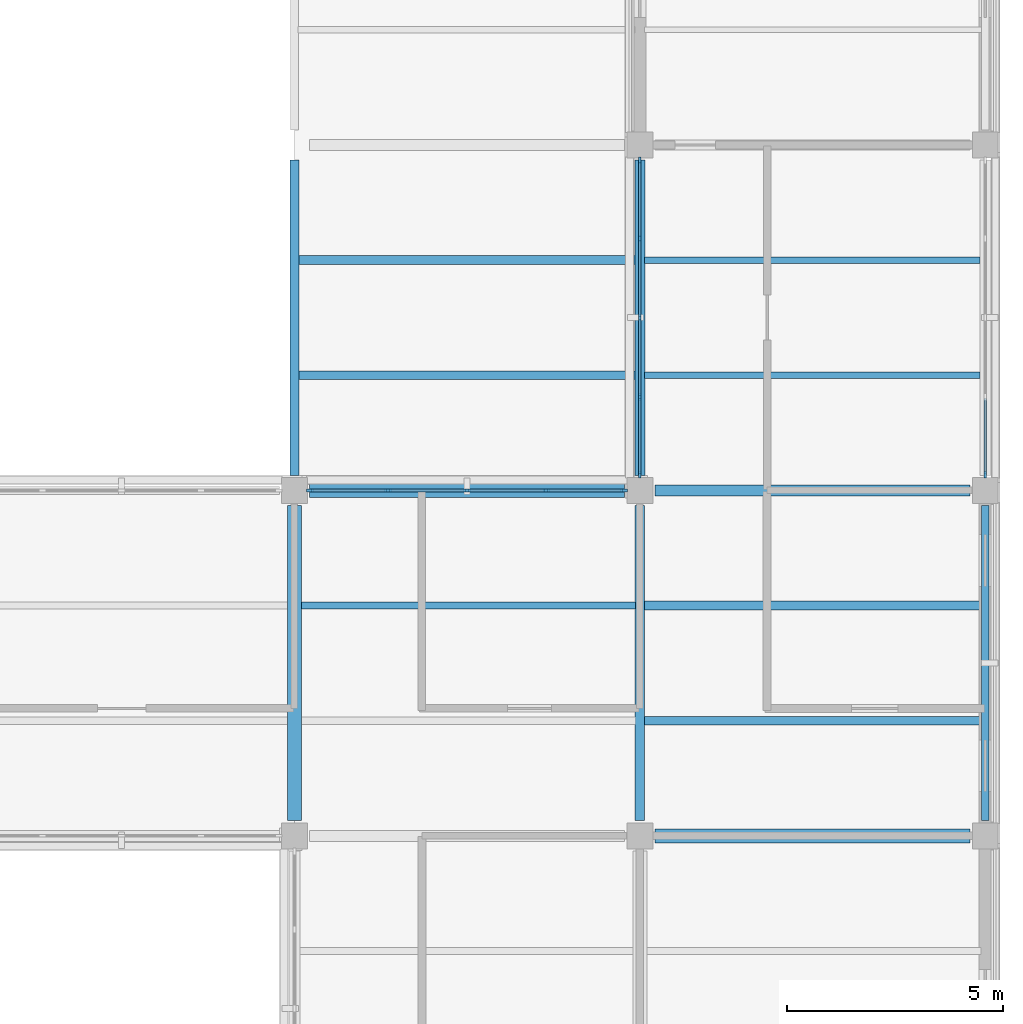
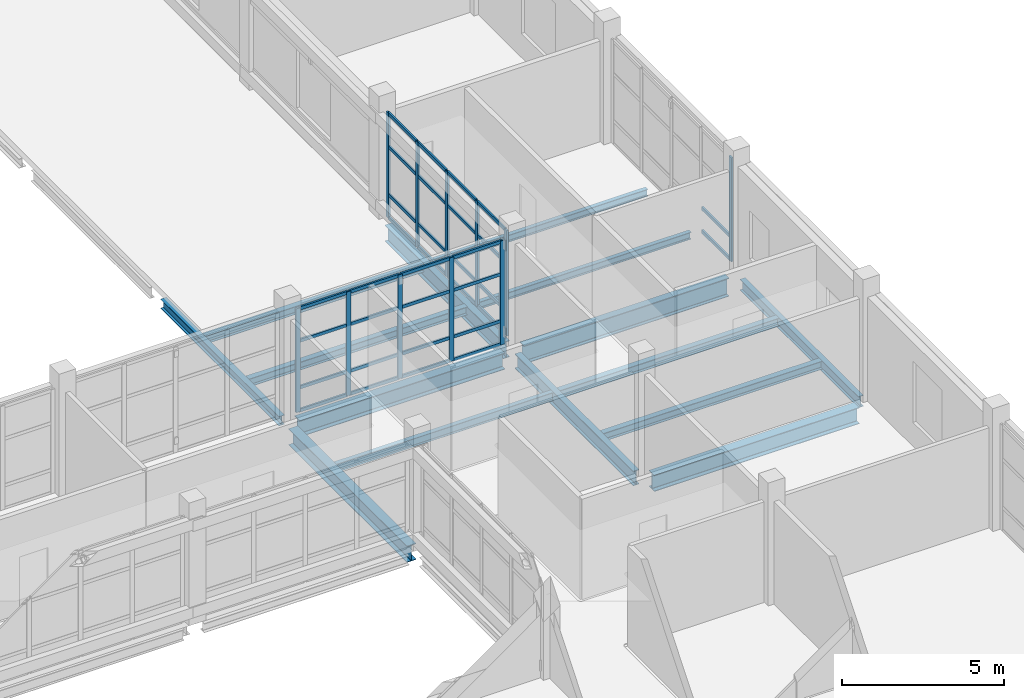
# One storey, part 51 of 121: 45 members, 15 beams, 3 elements without a shape of their own.
"""IFC4 building model written with IfcOpenShell, lengths in metres."""

from ifc_helpers import new_model, si_unit, derived_unit, direction, frame, origin, origin_2d, place, context, subcontext, project, spatial, rectangle, i_section, extrude, material, layer, layer_set, material_profile, profile_set, type_object, element, aggregate, save


model = new_model("IFC4")

# Units and contexts
model_context = context("Model", 3, precision=1e-05, world=origin(), true_north=direction((0.0, 1.0)))
body_context = subcontext(model_context, "Body", "Model", "MODEL_VIEW")
ifc_project = project(units=[si_unit("LENGTHUNIT", "METRE"), si_unit("AREAUNIT", "SQUARE_METRE"), si_unit("VOLUMEUNIT", "CUBIC_METRE"), si_unit("PLANEANGLEUNIT", "RADIAN"), si_unit("MASSUNIT", "GRAM", prefix="KILO"), derived_unit("THERMALTRANSMITTANCEUNIT", [(si_unit("MASSUNIT", "GRAM", prefix="KILO"), 1), (si_unit("TIMEUNIT", "SECOND"), -3), (si_unit("THERMODYNAMICTEMPERATUREUNIT", "KELVIN"), -1)])], contexts=[model_context])

# Site, building, storey
site_placement = place(None, origin())
site = spatial("IfcSite", under=ifc_project, at=site_placement, CompositionType="ELEMENT")
building_placement = place(site_placement, origin())
building = spatial("IfcBuilding", under=site, at=building_placement, Name="Veyamyaing Civic Hall", CompositionType="ELEMENT")
storey_placement = place(building_placement, frame((0.0, 0.0, 5.280029296875)))
storey = spatial("IfcBuildingStorey", under=building, at=storey_placement, Name="L01", CompositionType="ELEMENT", Elevation=5.280029296875)

# Beams
ifc_material_1 = material(Name="Steel ASTM A992", Category="steel")
ifc_material_profile_1 = material_profile(ifc_material_1, i_section(OverallWidth=0.256103515625, OverallDepth=0.693115234375, WebThickness=0.014404296875, FlangeThickness=0.023681640625, FilletRadius=0.013916015625, at=origin_2d()), Name="W690X170")
ifc_profile_set_1 = profile_set([ifc_material_profile_1], Name="Steel ASTM A992")
beam_type_1 = type_object("IfcBeamType", Name="B-04", PredefinedType="BEAM", material=ifc_profile_set_1)
beam_1_placement = place(storey_placement, frame((168.35009765625, 56.0, -0.591552734375), z_axis=(1.0, 0.0, 0.0), x_axis=(0.0, 1.0, 0.0)))
element("IfcBeam", 1, at=beam_1_placement, inside=storey, type_object=beam_type_1, Name="Girder B-04 L01 Grid H 22-23", PredefinedType="BEAM", context=body_context, shape_type="SweptSolid", body=[
    extrude(i_section(OverallWidth=0.256103515625, OverallDepth=0.693115234375, WebThickness=0.014404296875, FlangeThickness=0.023681640625, FilletRadius=0.013916015625, at=origin_2d()), origin(), (0.0, 0.0, 1.0), 7.2998046875),
])
ifc_material_profile_2 = material_profile(ifc_material_1, i_section(OverallWidth=0.22998046875, OverallDepth=0.616943359375, WebThickness=0.01318359375, FlangeThickness=0.022216796875, FilletRadius=0.012939453125, at=origin_2d()), Name="W610X140")
ifc_profile_set_2 = profile_set([ifc_material_profile_2], Name="Steel ASTM A992")
beam_type_2 = type_object("IfcBeamType", Name="B-05", PredefinedType="BEAM", material=ifc_profile_set_2)
beam_2_placement = place(storey_placement, frame((168.0, 56.35009765625, -0.553466796875), z_axis=(0.0, 1.0, 0.0), x_axis=(-1.0, 0.0, 0.0)))
element("IfcBeam", 2, at=beam_2_placement, inside=storey, type_object=beam_type_2, Name="Girder B-05 L01 Grid 22 H-J", PredefinedType="BEAM", context=body_context, shape_type="SweptSolid", body=[
    extrude(i_section(OverallWidth=0.22998046875, OverallDepth=0.616943359375, WebThickness=0.01318359375, FlangeThickness=0.022216796875, FilletRadius=0.012939453125, at=origin_2d()), origin(), (0.0, 0.0, 1.0), 7.2998046875),
])
ifc_material_profile_3 = material_profile(ifc_material_1, i_section(OverallWidth=0.2041015625, OverallDepth=0.35009765625, WebThickness=0.0078125, FlangeThickness=0.01513671875, FilletRadius=0.010009765625, at=origin_2d()), Name="W360X72")
ifc_profile_set_3 = profile_set([ifc_material_profile_3], Name="Steel ASTM A992")
beam_type_3 = type_object("IfcBeamType", Name="B-11", PredefinedType="SPANDREL", material=ifc_profile_set_3)
beam_3_placement = place(storey_placement, frame((160.0, 56.35009765625, -0.4150390625), z_axis=(0.0, 1.0, 0.0), x_axis=(-1.0, 0.0, 0.0)))
element("IfcBeam", 3, at=beam_3_placement, inside=storey, type_object=beam_type_3, Name="Girder B-11 L01 Grid 21 H-J", PredefinedType="SPANDREL", context=body_context, shape_type="SweptSolid", body=[
    extrude(i_section(OverallWidth=0.2041015625, OverallDepth=0.35009765625, WebThickness=0.0078125, FlangeThickness=0.01513671875, FilletRadius=0.010009765625, at=origin_2d()), origin(), (0.0, 0.0, 1.0), 7.2998046875),
])
ifc_material_profile_4 = material_profile(ifc_material_1, i_section(OverallWidth=0.324951171875, OverallDepth=0.615966796875, WebThickness=0.013916015625, FlangeThickness=0.021484375, FilletRadius=0.013916015625, at=origin_2d()), Name="W610X174")
ifc_profile_set_4 = profile_set([ifc_material_profile_4], Name="Steel ASTM A992")
beam_type_4 = type_object("IfcBeamType", Name="B-15", PredefinedType="BEAM", material=ifc_profile_set_4)
for number, where, z_axis, x_axis, name in (
    (4, (168.35009765625, 48.0, -0.552978515625), (1.0, 0.0, 0.0), (0.0, 1.0, 0.0), "Girder B-15 L01 Grid G 22-23"),
    (5, (160.35009765625, 56.0, -0.552978515625), (1.0, 0.0, 0.0), (0.0, 1.0, 0.0), "Girder B-15 L01 Grid H 21-22"),
    (6, (160.0, 48.35009765625, -0.552978515625), (0.0, 1.0, 0.0), (-1.0, 0.0, 0.0), "Girder B-15 L01 Grid 21 G-H"),
):
    element("IfcBeam", number, at=place(storey_placement, frame(where, z_axis=z_axis, x_axis=x_axis)), inside=storey, type_object=beam_type_4, Name=name, PredefinedType="BEAM", context=body_context, shape_type="SweptSolid", body=[
        extrude(i_section(OverallWidth=0.324951171875, OverallDepth=0.615966796875, WebThickness=0.013916015625, FlangeThickness=0.021484375, FilletRadius=0.013916015625, at=origin_2d()), origin(), (0.0, 0.0, 1.0), 7.2998046875),
    ])
ifc_material_profile_5 = material_profile(ifc_material_1, i_section(OverallWidth=0.214111328125, OverallDepth=0.549072265625, WebThickness=0.0146484375, FlangeThickness=0.023681640625, FilletRadius=0.011962890625, at=origin_2d()), Name="W530X138")
ifc_profile_set_5 = profile_set([ifc_material_profile_5], Name="Steel ASTM A992")
beam_type_5 = type_object("IfcBeamType", Name="B-16", PredefinedType="BEAM", material=ifc_profile_set_5)
beam_4_placement = place(storey_placement, frame((168.0, 48.35009765625, -0.51953125), z_axis=(0.0, 1.0, 0.0), x_axis=(-1.0, 0.0, 0.0)))
element("IfcBeam", 7, at=beam_4_placement, inside=storey, type_object=beam_type_5, Name="Girder B-16 L01 Grid 22 G-H", PredefinedType="BEAM", context=body_context, shape_type="SweptSolid", body=[
    extrude(i_section(OverallWidth=0.214111328125, OverallDepth=0.549072265625, WebThickness=0.0146484375, FlangeThickness=0.023681640625, FilletRadius=0.011962890625, at=origin_2d()), origin(), (0.0, 0.0, 1.0), 7.2998046875),
])
ifc_material_profile_6 = material_profile(ifc_material_1, i_section(OverallWidth=0.180908203125, OverallDepth=0.4169921875, WebThickness=0.010986328125, FlangeThickness=0.018310546875, FilletRadius=0.010009765625, at=origin_2d()), Name="W410X85")
ifc_profile_set_6 = profile_set([ifc_material_profile_6], Name="Steel ASTM A992")
beam_type_6 = type_object("IfcBeamType", Name="B-19", PredefinedType="SPANDREL", material=ifc_profile_set_6)
beam_5_placement = place(storey_placement, frame((176.0, 48.35009765625, -0.45361328125), z_axis=(0.0, 1.0, 0.0), x_axis=(-1.0, 0.0, 0.0)))
element("IfcBeam", 8, at=beam_5_placement, inside=storey, type_object=beam_type_6, Name="Girder B-19 L01 Grid 23 G-H", PredefinedType="SPANDREL", context=body_context, shape_type="SweptSolid", body=[
    extrude(i_section(OverallWidth=0.180908203125, OverallDepth=0.4169921875, WebThickness=0.010986328125, FlangeThickness=0.018310546875, FilletRadius=0.010009765625, at=origin_2d()), origin(), (0.0, 0.0, 1.0), 7.2998046875),
])

# Curtain wall, members
ifc_material_2 = material(Name="Anodised aluminium 6063-T6", Category="aluminium")
ifc_layer = layer(ifc_material_2, 0.159912109375, Name="Anodised aluminium 6063-T6")
ifc_layer_set = layer_set([ifc_layer], Name="Anodised aluminium 6063-T6")
curtain_wall_type = type_object("IfcCurtainWallType", Name="CW-02", PredefinedType="NOTDEFINED", material=ifc_layer_set)
curtain_wall_1_placement = place(storey_placement, origin())
curtain_wall_1 = element("IfcCurtainWall", 9, at=curtain_wall_1_placement, inside=storey, type_object=curtain_wall_type, Name="Unitized curtain wall CW-02 L01 N 21.7", PredefinedType="NOTDEFINED")
ifc_material_profile_7 = material_profile(ifc_material_2, rectangle(XDim=0.06494140625, YDim=0.159912109375, at=origin_2d()), Name="ALU-MUL-65X160")
ifc_profile_set_7 = profile_set([ifc_material_profile_7], Name="Anodised aluminium 6063-T6")
member_type_1 = type_object("IfcMemberType", Name="CWM-01", PredefinedType="MULLION", material=ifc_profile_set_7)
member_1_placement = place(storey_placement, frame((160.362548828125, 56.0, 0.0), z_axis=(0.0, 0.0, 1.0), x_axis=(0.0, 1.0, 0.0)))
member_1 = element("IfcMember", 10, at=member_1_placement, type_object=member_type_1, Name="CW-02 mullion 1", PredefinedType="MULLION", context=body_context, shape_type="SweptSolid", body=[
    extrude(rectangle(XDim=0.06494140625, YDim=0.159912109375, at=origin_2d()), origin(), (0.0, 0.0, 1.0), 3.909912109375),
])
member_2_placement = place(storey_placement, frame((162.1650390625, 56.0, 0.0), z_axis=(0.0, 0.0, 1.0), x_axis=(0.0, 1.0, 0.0)))
member_2 = element("IfcMember", 11, at=member_2_placement, type_object=member_type_1, Name="CW-02 mullion 2", PredefinedType="MULLION", context=body_context, shape_type="SweptSolid", body=[
    extrude(rectangle(XDim=0.06494140625, YDim=0.159912109375, at=origin_2d()), origin(), (0.0, 0.0, 1.0), 3.909912109375),
])
member_3_placement = place(storey_placement, frame((164.0, 56.0, 0.0), z_axis=(0.0, 0.0, 1.0), x_axis=(0.0, 1.0, 0.0)))
member_3 = element("IfcMember", 12, at=member_3_placement, type_object=member_type_1, Name="CW-02 mullion 3", PredefinedType="MULLION", context=body_context, shape_type="SweptSolid", body=[
    extrude(rectangle(XDim=0.06494140625, YDim=0.159912109375, at=origin_2d()), origin(), (0.0, 0.0, 1.0), 3.909912109375),
])
member_4_placement = place(storey_placement, frame((165.8349609375, 56.0, 0.0), z_axis=(0.0, 0.0, 1.0), x_axis=(0.0, 1.0, 0.0)))
member_4 = element("IfcMember", 13, at=member_4_placement, type_object=member_type_1, Name="CW-02 mullion 4", PredefinedType="MULLION", context=body_context, shape_type="SweptSolid", body=[
    extrude(rectangle(XDim=0.06494140625, YDim=0.159912109375, at=origin_2d()), origin(), (0.0, 0.0, 1.0), 3.909912109375),
])
member_5_placement = place(storey_placement, frame((167.637451171875, 56.0, 0.0), z_axis=(0.0, 0.0, 1.0), x_axis=(0.0, 1.0, 0.0)))
member_5 = element("IfcMember", 14, at=member_5_placement, type_object=member_type_1, Name="CW-02 mullion 5", PredefinedType="MULLION", context=body_context, shape_type="SweptSolid", body=[
    extrude(rectangle(XDim=0.06494140625, YDim=0.159912109375, at=origin_2d()), origin(), (0.0, 0.0, 1.0), 3.909912109375),
])

curtain_wall_2_placement = place(storey_placement, origin())
curtain_wall_2 = element("IfcCurtainWall", 15, at=curtain_wall_2_placement, inside=storey, type_object=curtain_wall_type, Name="Unitized curtain wall CW-02 L01 W 22.8", PredefinedType="NOTDEFINED")
member_6_placement = place(storey_placement, frame((168.0, 56.362548828125, 0.0), z_axis=(0.0, 0.0, 1.0), x_axis=(-1.0, 0.0, 0.0)))
member_6 = element("IfcMember", 16, at=member_6_placement, type_object=member_type_1, Name="CW-02 mullion 1", PredefinedType="MULLION", context=body_context, shape_type="SweptSolid", body=[
    extrude(rectangle(XDim=0.06494140625, YDim=0.159912109375, at=origin_2d()), origin(), (0.0, 0.0, 1.0), 3.973876953125),
])
member_7_placement = place(storey_placement, frame((168.0, 58.1650390625, 0.0), z_axis=(0.0, 0.0, 1.0), x_axis=(-1.0, 0.0, 0.0)))
member_7 = element("IfcMember", 17, at=member_7_placement, type_object=member_type_1, Name="CW-02 mullion 2", PredefinedType="MULLION", context=body_context, shape_type="SweptSolid", body=[
    extrude(rectangle(XDim=0.06494140625, YDim=0.159912109375, at=origin_2d()), origin(), (0.0, 0.0, 1.0), 3.973876953125),
])
member_8_placement = place(storey_placement, frame((168.0, 60.0, 0.0), z_axis=(0.0, 0.0, 1.0), x_axis=(-1.0, 0.0, 0.0)))
member_8 = element("IfcMember", 18, at=member_8_placement, type_object=member_type_1, Name="CW-02 mullion 3", PredefinedType="MULLION", context=body_context, shape_type="SweptSolid", body=[
    extrude(rectangle(XDim=0.06494140625, YDim=0.159912109375, at=origin_2d()), origin(), (0.0, 0.0, 1.0), 3.973876953125),
])
member_9_placement = place(storey_placement, frame((168.0, 61.8349609375, 0.0), z_axis=(0.0, 0.0, 1.0), x_axis=(-1.0, 0.0, 0.0)))
member_9 = element("IfcMember", 19, at=member_9_placement, type_object=member_type_1, Name="CW-02 mullion 4", PredefinedType="MULLION", context=body_context, shape_type="SweptSolid", body=[
    extrude(rectangle(XDim=0.06494140625, YDim=0.159912109375, at=origin_2d()), origin(), (0.0, 0.0, 1.0), 3.973876953125),
])
member_10_placement = place(storey_placement, frame((168.0, 63.637451171875, 0.0), z_axis=(0.0, 0.0, 1.0), x_axis=(-1.0, 0.0, 0.0)))
member_10 = element("IfcMember", 20, at=member_10_placement, type_object=member_type_1, Name="CW-02 mullion 5", PredefinedType="MULLION", context=body_context, shape_type="SweptSolid", body=[
    extrude(rectangle(XDim=0.06494140625, YDim=0.159912109375, at=origin_2d()), origin(), (0.0, 0.0, 1.0), 3.973876953125),
])

# Curtain wall, member
curtain_wall_3_placement = place(storey_placement, origin())
curtain_wall_3 = element("IfcCurtainWall", 21, at=curtain_wall_3_placement, inside=storey, type_object=curtain_wall_type, Name="Unitized curtain wall CW-02 L01 E 22.8", PredefinedType="NOTDEFINED")
member_11_placement = place(storey_placement, frame((176.0, 56.362548828125, 0.0), z_axis=(0.0, 0.0, 1.0), x_axis=(-1.0, 0.0, 0.0)))
member_11 = element("IfcMember", 22, at=member_11_placement, type_object=member_type_1, Name="CW-02 mullion 1", PredefinedType="MULLION", context=body_context, shape_type="SweptSolid", body=[
    extrude(rectangle(XDim=0.06494140625, YDim=0.159912109375, at=origin_2d()), origin(), (0.0, 0.0, 1.0), 3.9140625),
])

# Member
ifc_material_profile_8 = material_profile(ifc_material_2, rectangle(XDim=0.06494140625, YDim=0.1201171875, at=origin_2d()), Name="ALU-TRN-65X120")
ifc_profile_set_8 = profile_set([ifc_material_profile_8], Name="Anodised aluminium 6063-T6")
member_type_2 = type_object("IfcMemberType", Name="CWT-01", PredefinedType="USERDEFINED", material=ifc_profile_set_8)
member_12_placement = place(storey_placement, frame((160.39501953125, 56.0, 0.032470703125), z_axis=(1.0, 0.0, 0.0), x_axis=(0.0, 1.0, 0.0)))
member_12 = element("IfcMember", 23, at=member_12_placement, type_object=member_type_2, Name="CW-02 transom 1.1", ObjectType="TRANSOM", PredefinedType="USERDEFINED", context=body_context, shape_type="SweptSolid", body=[
    extrude(rectangle(XDim=0.06494140625, YDim=0.1201171875, at=origin_2d()), origin(), (0.0, 0.0, 1.0), 1.737548828125),
])

member_13_placement = place(storey_placement, frame((160.39501953125, 56.0, 0.89990234375), z_axis=(1.0, 0.0, 0.0), x_axis=(0.0, 1.0, 0.0)))
member_13 = element("IfcMember", 24, at=member_13_placement, type_object=member_type_2, Name="CW-02 transom 1.2", ObjectType="TRANSOM", PredefinedType="USERDEFINED", context=body_context, shape_type="SweptSolid", body=[
    extrude(rectangle(XDim=0.06494140625, YDim=0.1201171875, at=origin_2d()), origin(), (0.0, 0.0, 1.0), 1.737548828125),
])

member_14_placement = place(storey_placement, frame((160.39501953125, 56.0, 2.65869140625), z_axis=(1.0, 0.0, 0.0), x_axis=(0.0, 1.0, 0.0)))
member_14 = element("IfcMember", 25, at=member_14_placement, type_object=member_type_2, Name="CW-02 transom 1.3", ObjectType="TRANSOM", PredefinedType="USERDEFINED", context=body_context, shape_type="SweptSolid", body=[
    extrude(rectangle(XDim=0.06494140625, YDim=0.1201171875, at=origin_2d()), origin(), (0.0, 0.0, 1.0), 1.737548828125),
])

member_15_placement = place(storey_placement, frame((160.39501953125, 56.0, 3.87744140625), z_axis=(1.0, 0.0, 0.0), x_axis=(0.0, 1.0, 0.0)))
member_15 = element("IfcMember", 26, at=member_15_placement, type_object=member_type_2, Name="CW-02 transom 1.4", ObjectType="TRANSOM", PredefinedType="USERDEFINED", context=body_context, shape_type="SweptSolid", body=[
    extrude(rectangle(XDim=0.06494140625, YDim=0.1201171875, at=origin_2d()), origin(), (0.0, 0.0, 1.0), 1.737548828125),
])

member_16_placement = place(storey_placement, frame((162.197509765625, 56.0, 0.032470703125), z_axis=(1.0, 0.0, 0.0), x_axis=(0.0, 1.0, 0.0)))
member_16 = element("IfcMember", 27, at=member_16_placement, type_object=member_type_2, Name="CW-02 transom 2.1", ObjectType="TRANSOM", PredefinedType="USERDEFINED", context=body_context, shape_type="SweptSolid", body=[
    extrude(rectangle(XDim=0.06494140625, YDim=0.1201171875, at=origin_2d()), origin(), (0.0, 0.0, 1.0), 1.77001953125),
])

member_17_placement = place(storey_placement, frame((162.197509765625, 56.0, 0.89990234375), z_axis=(1.0, 0.0, 0.0), x_axis=(0.0, 1.0, 0.0)))
member_17 = element("IfcMember", 28, at=member_17_placement, type_object=member_type_2, Name="CW-02 transom 2.2", ObjectType="TRANSOM", PredefinedType="USERDEFINED", context=body_context, shape_type="SweptSolid", body=[
    extrude(rectangle(XDim=0.06494140625, YDim=0.1201171875, at=origin_2d()), origin(), (0.0, 0.0, 1.0), 1.77001953125),
])

member_18_placement = place(storey_placement, frame((162.197509765625, 56.0, 2.65869140625), z_axis=(1.0, 0.0, 0.0), x_axis=(0.0, 1.0, 0.0)))
member_18 = element("IfcMember", 29, at=member_18_placement, type_object=member_type_2, Name="CW-02 transom 2.3", ObjectType="TRANSOM", PredefinedType="USERDEFINED", context=body_context, shape_type="SweptSolid", body=[
    extrude(rectangle(XDim=0.06494140625, YDim=0.1201171875, at=origin_2d()), origin(), (0.0, 0.0, 1.0), 1.77001953125),
])

member_19_placement = place(storey_placement, frame((162.197509765625, 56.0, 3.87744140625), z_axis=(1.0, 0.0, 0.0), x_axis=(0.0, 1.0, 0.0)))
member_19 = element("IfcMember", 30, at=member_19_placement, type_object=member_type_2, Name="CW-02 transom 2.4", ObjectType="TRANSOM", PredefinedType="USERDEFINED", context=body_context, shape_type="SweptSolid", body=[
    extrude(rectangle(XDim=0.06494140625, YDim=0.1201171875, at=origin_2d()), origin(), (0.0, 0.0, 1.0), 1.77001953125),
])

member_20_placement = place(storey_placement, frame((164.032470703125, 56.0, 0.032470703125), z_axis=(1.0, 0.0, 0.0), x_axis=(0.0, 1.0, 0.0)))
member_20 = element("IfcMember", 31, at=member_20_placement, type_object=member_type_2, Name="CW-02 transom 3.1", ObjectType="TRANSOM", PredefinedType="USERDEFINED", context=body_context, shape_type="SweptSolid", body=[
    extrude(rectangle(XDim=0.06494140625, YDim=0.1201171875, at=origin_2d()), origin(), (0.0, 0.0, 1.0), 1.77001953125),
])

member_21_placement = place(storey_placement, frame((164.032470703125, 56.0, 0.89990234375), z_axis=(1.0, 0.0, 0.0), x_axis=(0.0, 1.0, 0.0)))
member_21 = element("IfcMember", 32, at=member_21_placement, type_object=member_type_2, Name="CW-02 transom 3.2", ObjectType="TRANSOM", PredefinedType="USERDEFINED", context=body_context, shape_type="SweptSolid", body=[
    extrude(rectangle(XDim=0.06494140625, YDim=0.1201171875, at=origin_2d()), origin(), (0.0, 0.0, 1.0), 1.77001953125),
])

member_22_placement = place(storey_placement, frame((164.032470703125, 56.0, 2.65869140625), z_axis=(1.0, 0.0, 0.0), x_axis=(0.0, 1.0, 0.0)))
member_22 = element("IfcMember", 33, at=member_22_placement, type_object=member_type_2, Name="CW-02 transom 3.3", ObjectType="TRANSOM", PredefinedType="USERDEFINED", context=body_context, shape_type="SweptSolid", body=[
    extrude(rectangle(XDim=0.06494140625, YDim=0.1201171875, at=origin_2d()), origin(), (0.0, 0.0, 1.0), 1.77001953125),
])

member_23_placement = place(storey_placement, frame((164.032470703125, 56.0, 3.87744140625), z_axis=(1.0, 0.0, 0.0), x_axis=(0.0, 1.0, 0.0)))
member_23 = element("IfcMember", 34, at=member_23_placement, type_object=member_type_2, Name="CW-02 transom 3.4", ObjectType="TRANSOM", PredefinedType="USERDEFINED", context=body_context, shape_type="SweptSolid", body=[
    extrude(rectangle(XDim=0.06494140625, YDim=0.1201171875, at=origin_2d()), origin(), (0.0, 0.0, 1.0), 1.77001953125),
])

member_24_placement = place(storey_placement, frame((165.867431640625, 56.0, 0.032470703125), z_axis=(1.0, 0.0, 0.0), x_axis=(0.0, 1.0, 0.0)))
member_24 = element("IfcMember", 35, at=member_24_placement, type_object=member_type_2, Name="CW-02 transom 4.1", ObjectType="TRANSOM", PredefinedType="USERDEFINED", context=body_context, shape_type="SweptSolid", body=[
    extrude(rectangle(XDim=0.06494140625, YDim=0.1201171875, at=origin_2d()), origin(), (0.0, 0.0, 1.0), 1.737548828125),
])

member_25_placement = place(storey_placement, frame((165.867431640625, 56.0, 0.89990234375), z_axis=(1.0, 0.0, 0.0), x_axis=(0.0, 1.0, 0.0)))
member_25 = element("IfcMember", 36, at=member_25_placement, type_object=member_type_2, Name="CW-02 transom 4.2", ObjectType="TRANSOM", PredefinedType="USERDEFINED", context=body_context, shape_type="SweptSolid", body=[
    extrude(rectangle(XDim=0.06494140625, YDim=0.1201171875, at=origin_2d()), origin(), (0.0, 0.0, 1.0), 1.737548828125),
])

member_26_placement = place(storey_placement, frame((165.867431640625, 56.0, 2.65869140625), z_axis=(1.0, 0.0, 0.0), x_axis=(0.0, 1.0, 0.0)))
member_26 = element("IfcMember", 37, at=member_26_placement, type_object=member_type_2, Name="CW-02 transom 4.3", ObjectType="TRANSOM", PredefinedType="USERDEFINED", context=body_context, shape_type="SweptSolid", body=[
    extrude(rectangle(XDim=0.06494140625, YDim=0.1201171875, at=origin_2d()), origin(), (0.0, 0.0, 1.0), 1.737548828125),
])

member_27_placement = place(storey_placement, frame((165.867431640625, 56.0, 3.87744140625), z_axis=(1.0, 0.0, 0.0), x_axis=(0.0, 1.0, 0.0)))
member_27 = element("IfcMember", 38, at=member_27_placement, type_object=member_type_2, Name="CW-02 transom 4.4", ObjectType="TRANSOM", PredefinedType="USERDEFINED", context=body_context, shape_type="SweptSolid", body=[
    extrude(rectangle(XDim=0.06494140625, YDim=0.1201171875, at=origin_2d()), origin(), (0.0, 0.0, 1.0), 1.737548828125),
])

aggregate(curtain_wall_1, [member_1, member_2, member_3, member_4, member_5, member_12, member_13, member_14, member_15, member_16, member_17, member_18, member_19, member_20, member_21, member_22, member_23, member_24, member_25, member_26, member_27])

member_28_placement = place(storey_placement, frame((168.0, 56.39501953125, 0.032470703125), z_axis=(0.0, 1.0, 0.0), x_axis=(-1.0, 0.0, 0.0)))
member_28 = element("IfcMember", 39, at=member_28_placement, type_object=member_type_2, Name="CW-02 transom 1.1", ObjectType="TRANSOM", PredefinedType="USERDEFINED", context=body_context, shape_type="SweptSolid", body=[
    extrude(rectangle(XDim=0.06494140625, YDim=0.1201171875, at=origin_2d()), origin(), (0.0, 0.0, 1.0), 1.737548828125),
])

member_29_placement = place(storey_placement, frame((168.0, 56.39501953125, 0.89990234375), z_axis=(0.0, 1.0, 0.0), x_axis=(-1.0, 0.0, 0.0)))
member_29 = element("IfcMember", 40, at=member_29_placement, type_object=member_type_2, Name="CW-02 transom 1.2", ObjectType="TRANSOM", PredefinedType="USERDEFINED", context=body_context, shape_type="SweptSolid", body=[
    extrude(rectangle(XDim=0.06494140625, YDim=0.1201171875, at=origin_2d()), origin(), (0.0, 0.0, 1.0), 1.737548828125),
])

member_30_placement = place(storey_placement, frame((168.0, 56.39501953125, 2.702392578125), z_axis=(0.0, 1.0, 0.0), x_axis=(-1.0, 0.0, 0.0)))
member_30 = element("IfcMember", 41, at=member_30_placement, type_object=member_type_2, Name="CW-02 transom 1.3", ObjectType="TRANSOM", PredefinedType="USERDEFINED", context=body_context, shape_type="SweptSolid", body=[
    extrude(rectangle(XDim=0.06494140625, YDim=0.1201171875, at=origin_2d()), origin(), (0.0, 0.0, 1.0), 1.737548828125),
])

member_31_placement = place(storey_placement, frame((168.0, 56.39501953125, 3.94140625), z_axis=(0.0, 1.0, 0.0), x_axis=(-1.0, 0.0, 0.0)))
member_31 = element("IfcMember", 42, at=member_31_placement, type_object=member_type_2, Name="CW-02 transom 1.4", ObjectType="TRANSOM", PredefinedType="USERDEFINED", context=body_context, shape_type="SweptSolid", body=[
    extrude(rectangle(XDim=0.06494140625, YDim=0.1201171875, at=origin_2d()), origin(), (0.0, 0.0, 1.0), 1.737548828125),
])

member_32_placement = place(storey_placement, frame((168.0, 58.197509765625, 0.032470703125), z_axis=(0.0, 1.0, 0.0), x_axis=(-1.0, 0.0, 0.0)))
member_32 = element("IfcMember", 43, at=member_32_placement, type_object=member_type_2, Name="CW-02 transom 2.1", ObjectType="TRANSOM", PredefinedType="USERDEFINED", context=body_context, shape_type="SweptSolid", body=[
    extrude(rectangle(XDim=0.06494140625, YDim=0.1201171875, at=origin_2d()), origin(), (0.0, 0.0, 1.0), 1.77001953125),
])

member_33_placement = place(storey_placement, frame((168.0, 58.197509765625, 0.89990234375), z_axis=(0.0, 1.0, 0.0), x_axis=(-1.0, 0.0, 0.0)))
member_33 = element("IfcMember", 44, at=member_33_placement, type_object=member_type_2, Name="CW-02 transom 2.2", ObjectType="TRANSOM", PredefinedType="USERDEFINED", context=body_context, shape_type="SweptSolid", body=[
    extrude(rectangle(XDim=0.06494140625, YDim=0.1201171875, at=origin_2d()), origin(), (0.0, 0.0, 1.0), 1.77001953125),
])

member_34_placement = place(storey_placement, frame((168.0, 58.197509765625, 2.702392578125), z_axis=(0.0, 1.0, 0.0), x_axis=(-1.0, 0.0, 0.0)))
member_34 = element("IfcMember", 45, at=member_34_placement, type_object=member_type_2, Name="CW-02 transom 2.3", ObjectType="TRANSOM", PredefinedType="USERDEFINED", context=body_context, shape_type="SweptSolid", body=[
    extrude(rectangle(XDim=0.06494140625, YDim=0.1201171875, at=origin_2d()), origin(), (0.0, 0.0, 1.0), 1.77001953125),
])

member_35_placement = place(storey_placement, frame((168.0, 58.197509765625, 3.94140625), z_axis=(0.0, 1.0, 0.0), x_axis=(-1.0, 0.0, 0.0)))
member_35 = element("IfcMember", 46, at=member_35_placement, type_object=member_type_2, Name="CW-02 transom 2.4", ObjectType="TRANSOM", PredefinedType="USERDEFINED", context=body_context, shape_type="SweptSolid", body=[
    extrude(rectangle(XDim=0.06494140625, YDim=0.1201171875, at=origin_2d()), origin(), (0.0, 0.0, 1.0), 1.77001953125),
])

member_36_placement = place(storey_placement, frame((168.0, 60.032470703125, 0.032470703125), z_axis=(0.0, 1.0, 0.0), x_axis=(-1.0, 0.0, 0.0)))
member_36 = element("IfcMember", 47, at=member_36_placement, type_object=member_type_2, Name="CW-02 transom 3.1", ObjectType="TRANSOM", PredefinedType="USERDEFINED", context=body_context, shape_type="SweptSolid", body=[
    extrude(rectangle(XDim=0.06494140625, YDim=0.1201171875, at=origin_2d()), origin(), (0.0, 0.0, 1.0), 1.77001953125),
])

member_37_placement = place(storey_placement, frame((168.0, 60.032470703125, 0.89990234375), z_axis=(0.0, 1.0, 0.0), x_axis=(-1.0, 0.0, 0.0)))
member_37 = element("IfcMember", 48, at=member_37_placement, type_object=member_type_2, Name="CW-02 transom 3.2", ObjectType="TRANSOM", PredefinedType="USERDEFINED", context=body_context, shape_type="SweptSolid", body=[
    extrude(rectangle(XDim=0.06494140625, YDim=0.1201171875, at=origin_2d()), origin(), (0.0, 0.0, 1.0), 1.77001953125),
])

member_38_placement = place(storey_placement, frame((168.0, 60.032470703125, 2.702392578125), z_axis=(0.0, 1.0, 0.0), x_axis=(-1.0, 0.0, 0.0)))
member_38 = element("IfcMember", 49, at=member_38_placement, type_object=member_type_2, Name="CW-02 transom 3.3", ObjectType="TRANSOM", PredefinedType="USERDEFINED", context=body_context, shape_type="SweptSolid", body=[
    extrude(rectangle(XDim=0.06494140625, YDim=0.1201171875, at=origin_2d()), origin(), (0.0, 0.0, 1.0), 1.77001953125),
])

member_39_placement = place(storey_placement, frame((168.0, 60.032470703125, 3.94140625), z_axis=(0.0, 1.0, 0.0), x_axis=(-1.0, 0.0, 0.0)))
member_39 = element("IfcMember", 50, at=member_39_placement, type_object=member_type_2, Name="CW-02 transom 3.4", ObjectType="TRANSOM", PredefinedType="USERDEFINED", context=body_context, shape_type="SweptSolid", body=[
    extrude(rectangle(XDim=0.06494140625, YDim=0.1201171875, at=origin_2d()), origin(), (0.0, 0.0, 1.0), 1.77001953125),
])

member_40_placement = place(storey_placement, frame((168.0, 61.867431640625, 0.032470703125), z_axis=(0.0, 1.0, 0.0), x_axis=(-1.0, 0.0, 0.0)))
member_40 = element("IfcMember", 51, at=member_40_placement, type_object=member_type_2, Name="CW-02 transom 4.1", ObjectType="TRANSOM", PredefinedType="USERDEFINED", context=body_context, shape_type="SweptSolid", body=[
    extrude(rectangle(XDim=0.06494140625, YDim=0.1201171875, at=origin_2d()), origin(), (0.0, 0.0, 1.0), 1.737548828125),
])

member_41_placement = place(storey_placement, frame((168.0, 61.867431640625, 0.89990234375), z_axis=(0.0, 1.0, 0.0), x_axis=(-1.0, 0.0, 0.0)))
member_41 = element("IfcMember", 52, at=member_41_placement, type_object=member_type_2, Name="CW-02 transom 4.2", ObjectType="TRANSOM", PredefinedType="USERDEFINED", context=body_context, shape_type="SweptSolid", body=[
    extrude(rectangle(XDim=0.06494140625, YDim=0.1201171875, at=origin_2d()), origin(), (0.0, 0.0, 1.0), 1.737548828125),
])

member_42_placement = place(storey_placement, frame((168.0, 61.867431640625, 2.702392578125), z_axis=(0.0, 1.0, 0.0), x_axis=(-1.0, 0.0, 0.0)))
member_42 = element("IfcMember", 53, at=member_42_placement, type_object=member_type_2, Name="CW-02 transom 4.3", ObjectType="TRANSOM", PredefinedType="USERDEFINED", context=body_context, shape_type="SweptSolid", body=[
    extrude(rectangle(XDim=0.06494140625, YDim=0.1201171875, at=origin_2d()), origin(), (0.0, 0.0, 1.0), 1.737548828125),
])

member_43_placement = place(storey_placement, frame((168.0, 61.867431640625, 3.94140625), z_axis=(0.0, 1.0, 0.0), x_axis=(-1.0, 0.0, 0.0)))
member_43 = element("IfcMember", 54, at=member_43_placement, type_object=member_type_2, Name="CW-02 transom 4.4", ObjectType="TRANSOM", PredefinedType="USERDEFINED", context=body_context, shape_type="SweptSolid", body=[
    extrude(rectangle(XDim=0.06494140625, YDim=0.1201171875, at=origin_2d()), origin(), (0.0, 0.0, 1.0), 1.737548828125),
])

aggregate(curtain_wall_2, [member_6, member_7, member_8, member_9, member_10, member_28, member_29, member_30, member_31, member_32, member_33, member_34, member_35, member_36, member_37, member_38, member_39, member_40, member_41, member_42, member_43])

member_44_placement = place(storey_placement, frame((176.0, 56.39501953125, 0.032470703125), z_axis=(0.0, 1.0, 0.0), x_axis=(-1.0, 0.0, 0.0)))
member_44 = element("IfcMember", 55, at=member_44_placement, type_object=member_type_2, Name="CW-02 transom 1.1", ObjectType="TRANSOM", PredefinedType="USERDEFINED", context=body_context, shape_type="SweptSolid", body=[
    extrude(rectangle(XDim=0.06494140625, YDim=0.1201171875, at=origin_2d()), origin(), (0.0, 0.0, 1.0), 1.737548828125),
])

member_45_placement = place(storey_placement, frame((176.0, 56.39501953125, 0.89990234375), z_axis=(0.0, 1.0, 0.0), x_axis=(-1.0, 0.0, 0.0)))
member_45 = element("IfcMember", 56, at=member_45_placement, type_object=member_type_2, Name="CW-02 transom 1.2", ObjectType="TRANSOM", PredefinedType="USERDEFINED", context=body_context, shape_type="SweptSolid", body=[
    extrude(rectangle(XDim=0.06494140625, YDim=0.1201171875, at=origin_2d()), origin(), (0.0, 0.0, 1.0), 1.737548828125),
])

aggregate(curtain_wall_3, [member_11, member_44, member_45])

# Beams
ifc_material_profile_9 = material_profile(ifc_material_1, i_section(OverallWidth=0.1650390625, OverallDepth=0.31005859375, WebThickness=0.005859375, FlangeThickness=0.009765625, FilletRadius=0.010009765625, at=origin_2d()), Name="W310X39")
ifc_profile_set_9 = profile_set([ifc_material_profile_9], Name="Steel ASTM A992")
beam_type_7 = type_object("IfcBeamType", Name="J-05", PredefinedType="JOIST", material=ifc_profile_set_9)
beam_6_placement = place(storey_placement, frame((160.160400390625, 53.333251953125, -0.400146484375), z_axis=(1.0, 0.0, 0.0), x_axis=(0.0, 1.0, 0.0)))
element("IfcBeam", 57, at=beam_6_placement, inside=storey, type_object=beam_type_7, Name="Composite floor joist J-05 L01 21.7.2", PredefinedType="JOIST", context=body_context, shape_type="SweptSolid", body=[
    extrude(i_section(OverallWidth=0.1650390625, OverallDepth=0.31005859375, WebThickness=0.005859375, FlangeThickness=0.009765625, FilletRadius=0.010009765625, at=origin_2d()), origin(), (0.0, 0.0, 1.0), 7.734619140625),
])
ifc_material_profile_10 = material_profile(ifc_material_1, i_section(OverallWidth=0.2041015625, OverallDepth=0.305908203125, WebThickness=0.008544921875, FlangeThickness=0.0146484375, FilletRadius=0.010009765625, at=origin_2d()), Name="W310X67")
ifc_profile_set_10 = profile_set([ifc_material_profile_10], Name="Steel ASTM A992")
beam_type_8 = type_object("IfcBeamType", Name="J-06", PredefinedType="JOIST", material=ifc_profile_set_10)
for number, where, z_axis, x_axis, name in (
    (58, (160.10009765625, 58.666748046875, -0.39794921875), (1.0, 0.0, 0.0), (0.0, 1.0, 0.0), "Composite floor joist J-06 L01 21.8.1"),
    (59, (160.10009765625, 61.333251953125, -0.39794921875), (1.0, 0.0, 0.0), (0.0, 1.0, 0.0), "Composite floor joist J-06 L01 21.8.2"),
):
    element("IfcBeam", number, at=place(storey_placement, frame(where, z_axis=z_axis, x_axis=x_axis)), inside=storey, type_object=beam_type_8, Name=name, PredefinedType="JOIST", context=body_context, shape_type="SweptSolid", body=[
        extrude(i_section(OverallWidth=0.2041015625, OverallDepth=0.305908203125, WebThickness=0.008544921875, FlangeThickness=0.0146484375, FilletRadius=0.010009765625, at=origin_2d()), origin(), (0.0, 0.0, 1.0), 7.786865234375),
    ])
for number, where, z_axis, x_axis, name in (
    (60, (168.10498046875, 50.666748046875, -0.39794921875), (1.0, 0.0, 0.0), (0.0, 1.0, 0.0), "Composite floor joist J-06 L01 22.7.1"),
    (61, (168.10498046875, 53.333251953125, -0.39794921875), (1.0, 0.0, 0.0), (0.0, 1.0, 0.0), "Composite floor joist J-06 L01 22.7.2"),
):
    element("IfcBeam", number, at=place(storey_placement, frame(where, z_axis=z_axis, x_axis=x_axis)), inside=storey, type_object=beam_type_8, Name=name, PredefinedType="JOIST", context=body_context, shape_type="SweptSolid", body=[
        extrude(i_section(OverallWidth=0.2041015625, OverallDepth=0.305908203125, WebThickness=0.008544921875, FlangeThickness=0.0146484375, FilletRadius=0.010009765625, at=origin_2d()), origin(), (0.0, 0.0, 1.0), 7.806640625),
    ])
ifc_material_profile_11 = material_profile(ifc_material_1, i_section(OverallWidth=0.14794921875, OverallDepth=0.26611328125, WebThickness=0.007568359375, FlangeThickness=0.012939453125, FilletRadius=0.010009765625, at=origin_2d()), Name="W250X45")
ifc_profile_set_11 = profile_set([ifc_material_profile_11], Name="Steel ASTM A992")
beam_type_9 = type_object("IfcBeamType", Name="J-07", PredefinedType="JOIST", material=ifc_profile_set_11)
for number, where, z_axis, x_axis, name in (
    (62, (168.113037109375, 58.666748046875, -0.3779296875), (1.0, 0.0, 0.0), (0.0, 1.0, 0.0), "Composite floor joist J-07 L01 22.8.1"),
    (63, (168.113037109375, 61.333251953125, -0.3779296875), (1.0, 0.0, 0.0), (0.0, 1.0, 0.0), "Composite floor joist J-07 L01 22.8.2"),
):
    element("IfcBeam", number, at=place(storey_placement, frame(where, z_axis=z_axis, x_axis=x_axis)), inside=storey, type_object=beam_type_9, Name=name, PredefinedType="JOIST", context=body_context, shape_type="SweptSolid", body=[
        extrude(i_section(OverallWidth=0.14794921875, OverallDepth=0.26611328125, WebThickness=0.007568359375, FlangeThickness=0.012939453125, FilletRadius=0.010009765625, at=origin_2d()), origin(), (0.0, 0.0, 1.0), 7.761962890625),
    ])

save(model, "model.ifc")
